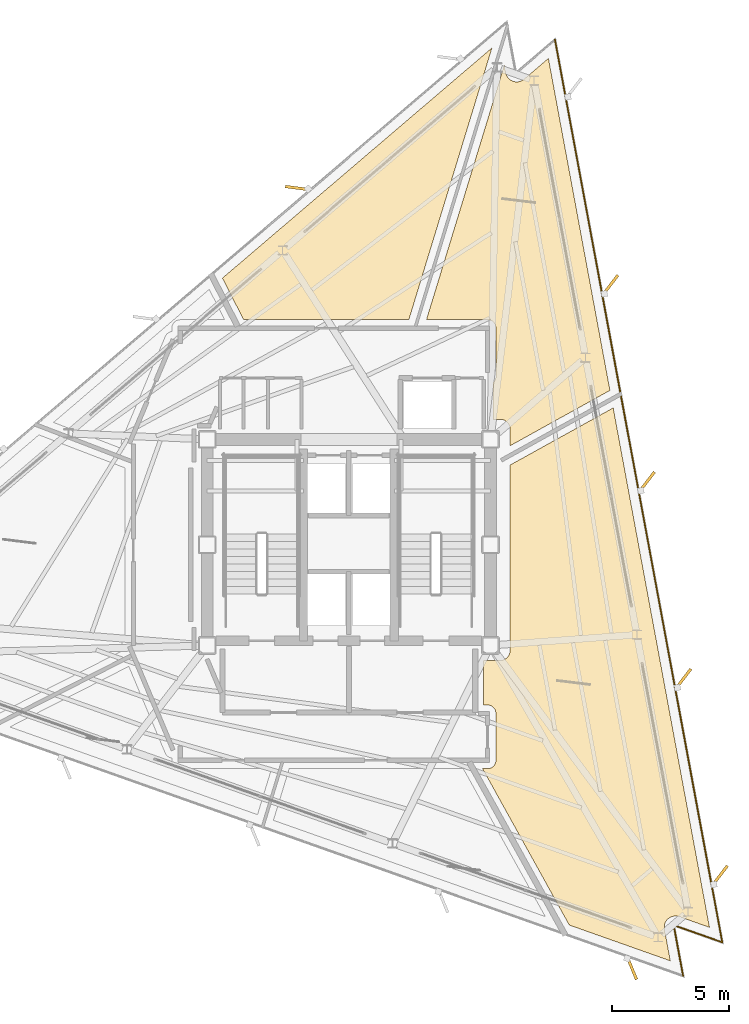
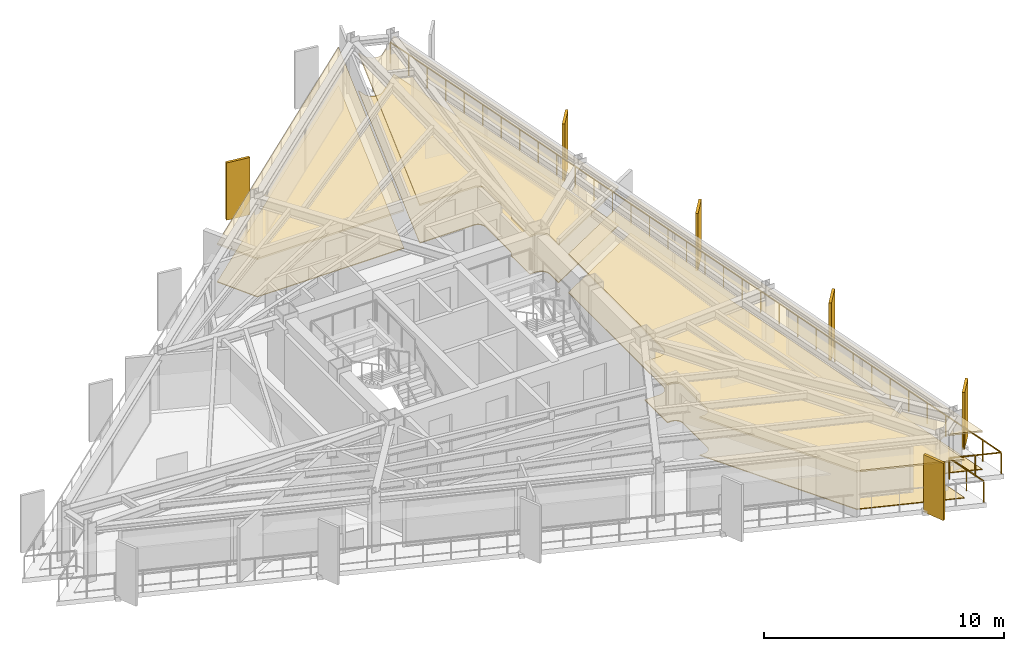
# One storey, part 13 of 14: 6 coverings, 6 shading devices, 1 railing.
"""IFC4 building model written with IfcOpenShell, lengths in metres."""

import ifcopenshell
import ifcopenshell.guid

model = None  # the IFC model being written
_history = None  # IfcOwnerHistory: only IFC2X3 demands one
_inside = {}  # id of a spatial element -> (the spatial element, [elements in it])
_under = {}  # id of a project, library or spatial element -> (it, [spatial elements below it])
_declared = {}  # id of a project -> (the project, [libraries it declares])
_typed = {}  # id of a type object -> (the type object, [elements of that type])
_made_of = {}  # id of a material, layer set ... -> (it, [elements and type objects made of it])


def new_model(schema):
    """Start an empty IFC model of exactly this schema.

    Asked for "IFC4X3", IfcOpenShell would pick the latest addendum, in which some entities
    have other attributes; the version numbers below select the first issue.
    IFC2X3 requires an IfcOwnerHistory on every rooted entity: one is made here for all.
    """
    global model, _history
    if schema == "IFC4X3":
        model = ifcopenshell.file(schema_version=(4, 3, 0, 0))
    else:
        model = ifcopenshell.file(schema=schema)
    _inside.clear()
    _under.clear()
    _declared.clear()
    _typed.clear()
    _made_of.clear()
    _history = None
    if model.schema == "IFC2X3":
        org = make("IfcOrganization", Name="unknown")
        user = make(
            "IfcPersonAndOrganization",
            ThePerson=make("IfcPerson", FamilyName="unknown"),
            TheOrganization=org,
        )
        app = make(
            "IfcApplication",
            ApplicationDeveloper=org,
            Version="unknown",
            ApplicationFullName="unknown",
            ApplicationIdentifier="unknown",
        )
        _history = make(
            "IfcOwnerHistory",
            OwningUser=user,
            OwningApplication=app,
            ChangeAction="ADDED",
            CreationDate=0,
        )
    return model


def make(cls, **values):
    """One entity of the class cls with the attributes given. An attribute that is None is left unset."""
    return model.create_entity(
        cls, **{name: value for name, value in values.items() if value is not None}
    )


def rooted(cls, **values):
    """An entity with a GlobalId (a new one), such as an element, a storey or a relation."""
    return make(cls, GlobalId=ifcopenshell.guid.new(), OwnerHistory=_history, **values)


def si_unit(unit_type, name, prefix=None):
    """IfcSIUnit, for example si_unit("LENGTHUNIT", "METRE", prefix="MILLI")."""
    return make("IfcSIUnit", UnitType=unit_type, Prefix=prefix, Name=name)


def assignment(units):
    """IfcUnitAssignment: the units of a project."""
    return None if units is None else make("IfcUnitAssignment", Units=units)


def point(xyz):
    """IfcCartesianPoint."""
    return None if xyz is None else make("IfcCartesianPoint", Coordinates=xyz)


def direction(xyz):
    """IfcDirection."""
    return None if xyz is None else make("IfcDirection", DirectionRatios=xyz)


def frame(location, z_axis=None, x_axis=None):
    """IfcAxis2Placement3D, a coordinate frame: its origin and axes. An axis left out is left unset."""
    return make(
        "IfcAxis2Placement3D",
        Location=point(location),
        Axis=direction(z_axis),
        RefDirection=direction(x_axis),
    )


def frame_2d(location, x_axis=None):
    """IfcAxis2Placement2D, a coordinate frame in the plane: its origin and x axis."""
    return make(
        "IfcAxis2Placement2D", Location=point(location), RefDirection=direction(x_axis)
    )


def origin():
    """The frame at (0, 0, 0) with its axes left unset."""
    return frame((0.0, 0.0, 0.0))


def origin_2d():
    """The frame at (0, 0) in the plane with its x axis left unset."""
    return frame_2d((0.0, 0.0))


def place(relative_to, where):
    """IfcLocalPlacement: puts the frame where relative to a parent placement (None: the world)."""
    return make(
        "IfcLocalPlacement", PlacementRelTo=relative_to, RelativePlacement=where
    )


def context(
    kind, dimensions, precision=None, world=None, true_north=None, identifier=None
):
    """IfcGeometricRepresentationContext, for example the 3D "Model" context."""
    return make(
        "IfcGeometricRepresentationContext",
        ContextIdentifier=identifier,
        ContextType=kind,
        CoordinateSpaceDimension=dimensions,
        Precision=precision,
        WorldCoordinateSystem=world,
        TrueNorth=true_north,
    )


def subcontext(parent, identifier, kind, view, scale=None):
    """IfcGeometricRepresentationSubContext, for example "Body" below "Model"."""
    return make(
        "IfcGeometricRepresentationSubContext",
        ContextIdentifier=identifier,
        ContextType=kind,
        ParentContext=parent,
        TargetScale=scale,
        TargetView=view,
    )


def project(units=None, contexts=None):
    """IfcProject with its units and contexts."""
    return rooted(
        "IfcProject",
        Name="project",
        RepresentationContexts=contexts,
        UnitsInContext=assignment(units),
    )


def spatial(cls, under=None, at=None, **own):
    """A site, building, storey or space (cls), placed at a placement, below another one or the project."""
    s = rooted(cls, ObjectPlacement=at, **own)
    if under is not None:
        _under.setdefault(under.id(), (under, []))[1].append(s)
    return s


def polyline(points):
    """IfcPolyline through the points."""
    return make("IfcPolyline", Points=[point(p) for p in points])


def profile(cls, at=None, kind="AREA", **sizes):
    """A parametric profile (cls). Its sizes go by their IFC names, for example OverallWidth=200.0."""
    return make(cls, ProfileType=kind, Position=at, **sizes)


def rectangle(**sizes):
    """IfcRectangleProfileDef."""
    return profile("IfcRectangleProfileDef", **sizes)


def outline(outer, holes=None, kind="AREA"):
    """IfcArbitraryClosedProfileDef: a profile drawn as a closed curve; with holes, ...WithVoids."""
    if holes is None:
        return make("IfcArbitraryClosedProfileDef", ProfileType=kind, OuterCurve=outer)
    return make(
        "IfcArbitraryProfileDefWithVoids",
        ProfileType=kind,
        OuterCurve=outer,
        InnerCurves=holes,
    )


def extrude(swept, where, along, depth):
    """IfcExtrudedAreaSolid: the profile swept, set in the frame where, extruded along a direction by depth."""
    return make(
        "IfcExtrudedAreaSolid",
        SweptArea=swept,
        Position=where,
        ExtrudedDirection=direction(along),
        Depth=depth,
    )


def shape(context_of_items, identifier, shape_type, items):
    """IfcShapeRepresentation: the items that make up one representation, for example the "Body"."""
    return make(
        "IfcShapeRepresentation",
        ContextOfItems=context_of_items,
        RepresentationIdentifier=identifier,
        RepresentationType=shape_type,
        Items=items,
    )


def material(Name=None, Category=None):
    """IfcMaterial."""
    return make("IfcMaterial", Name=Name, Category=Category)


def layer(
    of_material, thickness, ventilated=None, Name=None, Category=None, Priority=None
):
    """IfcMaterialLayer: one layer of a wall or slab, of a material (None: an air gap)."""
    return make(
        "IfcMaterialLayer",
        Material=of_material,
        LayerThickness=thickness,
        IsVentilated=ventilated,
        Name=Name,
        Category=Category,
        Priority=Priority,
    )


def layer_set(layers, Name=None):
    """IfcMaterialLayerSet."""
    return make("IfcMaterialLayerSet", MaterialLayers=layers, LayerSetName=Name)


def made_of(thing, what):
    """Note that an element or type object is made of a material, layer set ...; save() writes the relation."""
    if what is not None:
        _made_of.setdefault(what.id(), (what, []))[1].append(thing)
    return thing


def type_object(cls, material=None, **own):
    """A type object (cls), such as IfcWallType, which elements share."""
    return made_of(rooted(cls, **own), material)


def element(
    cls,
    number,
    at=None,
    inside=None,
    cuts=None,
    type_object=None,
    material=None,
    context=None,
    identifier="Body",
    shape_type=None,
    held_by="IfcProductDefinitionShape",
    body=None,
    shapes=None,
    **own,
):
    """One element of the class cls, such as IfcWall. Its Tag is "e" and its number.

    at: its placement. inside: the storey or other place that contains it. cuts: it is an
    opening in that element (IfcRelVoidsElement). A single representation is given by context,
    identifier, shape_type and body (its items); several are given by shapes. held_by: the class
    of the entity that holds the representations. save() writes the other relations.
    """
    e = rooted(cls, Tag="e%d" % number, ObjectPlacement=at, **own)
    if body is not None:
        shapes = [shape(context, identifier, shape_type, body)]
    if shapes is not None:
        e.Representation = make(held_by, Representations=shapes)
    if inside is not None:
        _inside.setdefault(inside.id(), (inside, []))[1].append(e)
    if cuts is not None:
        rooted(
            "IfcRelVoidsElement", RelatingBuildingElement=cuts, RelatedOpeningElement=e
        )
    if type_object is not None:
        _typed.setdefault(type_object.id(), (type_object, []))[1].append(e)
    return made_of(e, material)


def aggregate(whole, parts):
    """IfcRelAggregates: a whole, such as a stair, and the parts it consists of."""
    return rooted("IfcRelAggregates", RelatingObject=whole, RelatedObjects=parts)


def save(model, path):
    """Write the relations noted so far, then the file.

    IfcRelAggregates (storeys below a building ...), IfcRelContainedInSpatialStructure (elements
    in a storey), IfcRelDefinesByType, IfcRelAssociatesMaterial and IfcRelDeclares: one each for
    every whole, place, type object, material and project.
    """
    for whole, parts in _under.values():
        aggregate(whole, parts)
    for where, things in _inside.values():
        rooted(
            "IfcRelContainedInSpatialStructure",
            RelatedElements=things,
            RelatingStructure=where,
        )
    for kind, things in _typed.values():
        rooted("IfcRelDefinesByType", RelatedObjects=things, RelatingType=kind)
    for what, things in _made_of.values():
        rooted("IfcRelAssociatesMaterial", RelatedObjects=things, RelatingMaterial=what)
    for by, libraries in _declared.values():
        rooted("IfcRelDeclares", RelatingContext=by, RelatedDefinitions=libraries)
    model.write(path)


model = new_model("IFC4")

# Units and contexts
model_context = context("Model", 3, precision=1e-05, world=origin(), true_north=direction((0.0, 1.0)))
body_context = subcontext(model_context, "Body", "Model", "MODEL_VIEW")
ifc_project = project(units=[si_unit("LENGTHUNIT", "METRE"), si_unit("AREAUNIT", "SQUARE_METRE"), si_unit("VOLUMEUNIT", "CUBIC_METRE"), si_unit("PLANEANGLEUNIT", "RADIAN"), si_unit("MASSUNIT", "GRAM", prefix="KILO")], contexts=[model_context])

# Site, building, storey
site_placement = place(None, origin())
site = spatial("IfcSite", under=ifc_project, at=site_placement, CompositionType="ELEMENT")
building_placement = place(site_placement, origin())
building = spatial("IfcBuilding", under=site, at=building_placement, Name="Rocaltana Carrier Exchange", CompositionType="ELEMENT")
storey_placement = place(building_placement, frame((0.0, 0.0, 181.43994140625)))
storey = spatial("IfcBuildingStorey", under=building, at=storey_placement, Name="L57", CompositionType="ELEMENT", Elevation=181.43994140625)

# Coverings
ifc_material_1 = material(Name="Honed Bogota Sandstone Tile", Category="masonry")
ifc_layer_1 = layer(ifc_material_1, 0.0400390625)
ifc_layer_set_1 = layer_set([ifc_layer_1], Name="Honed Bogota Sandstone Tile")
covering_type_1 = type_object("IfcCoveringType", Name="Honed Stone Lobby Flooring 40", PredefinedType="FLOORING", material=ifc_layer_set_1)
covering_1_placement = place(storey_placement, origin())
element("IfcCovering", 1, at=covering_1_placement, inside=storey, type_object=covering_type_1, Name="L57 Cloud Architecture Office Finish Floor", PredefinedType="FLOORING", context=body_context, shape_type="SweptSolid", body=[
    extrude(outline(polyline([(5.739990234375, -6.840087890625), (5.739990234375, -4.93994140625), (6.449951171875, -4.93994140625), (6.463623046875, -4.939697265625), (6.4794921875, -4.93896484375), (6.5068359375, -4.936279296875), (6.522216796875, -4.933837890625), (6.54931640625, -4.928466796875), (6.564453125, -4.9248046875), (6.5908203125, -4.916748046875), (6.605712890625, -4.91162109375), (6.630859375, -4.90087890625), (6.64501953125, -4.894287109375), (6.66943359375, -4.88134765625), (6.682861328125, -4.873291015625), (6.705810546875, -4.85791015625), (6.71826171875, -4.8486328125), (6.739501953125, -4.8310546875), (6.751220703125, -4.820556640625), (6.7705078125, -4.80126953125), (6.781005859375, -4.78955078125), (6.798583984375, -4.768310546875), (6.807861328125, -4.755615234375), (6.8232421875, -4.73291015625), (6.831298828125, -4.719482421875), (6.84423828125, -4.695068359375), (6.850830078125, -4.680908203125), (6.861572265625, -4.655517578125), (6.86669921875, -4.640869140625), (6.874755859375, -4.614501953125), (6.87841796875, -4.59912109375), (6.8837890625, -4.572265625), (6.88623046875, -4.556884765625), (6.888916015625, -4.529296875), (6.8896484375, -4.513671875), (6.889892578125, -4.5), (6.889892578125, 3.40771484375), (11.287841796875, 5.84521484375), (15.398681640625, -16.3359375), (14.108642578125, -15.879150390625), (14.095458984375, -15.874755859375), (14.076416015625, -15.869140625), (14.04931640625, -15.8623046875), (14.02978515625, -15.858642578125), (14.001953125, -15.854736328125), (13.982177734375, -15.852783203125), (13.954345703125, -15.851806640625), (13.934326171875, -15.85205078125), (13.906494140625, -15.853515625), (13.88671875, -15.855712890625), (13.859130859375, -15.860107421875), (13.839599609375, -15.8642578125), (13.8125, -15.871337890625), (13.793701171875, -15.87744140625), (13.767333984375, -15.88720703125), (13.7490234375, -15.89501953125), (13.72412109375, -15.907470703125), (13.706787109375, -15.9169921875), (13.68310546875, -15.931884765625), (13.66650390625, -15.943359375), (13.64453125, -15.960205078125), (13.62939453125, -15.973388671875), (13.60888671875, -15.992431640625), (13.59521484375, -16.0068359375), (13.576904296875, -16.02783203125), (13.564697265625, -16.043701171875), (13.548583984375, -16.06640625), (13.537841796875, -16.083251953125), (13.524169921875, -16.107666015625), (13.51513671875, -16.12548828125), (13.50390625, -16.15087890625), (13.496826171875, -16.16943359375), (13.48828125, -16.196044921875), (13.48291015625, -16.21533203125), (13.47705078125, -16.24267578125), (13.4736328125, -16.26220703125), (13.470458984375, -16.2900390625), (13.468994140625, -16.309814453125), (13.46875, -16.337890625), (13.469482421875, -16.357666015625), (13.4716796875, -16.385498046875), (13.474365234375, -16.4052734375), (13.4765625, -16.419189453125), (13.725830078125, -17.7646484375), (9.412109375, -16.237060546875), (5.710693359375, -9.56005859375), (5.919921875, -9.56005859375), (5.93359375, -9.559814453125), (5.941650390625, -9.559326171875), (5.968994140625, -9.556640625), (5.976806640625, -9.555419921875), (6.003662109375, -9.550048828125), (6.01123046875, -9.548095703125), (6.03759765625, -9.540283203125), (6.044921875, -9.53759765625), (6.0703125, -9.527099609375), (6.077392578125, -9.523681640625), (6.101806640625, -9.5107421875), (6.1083984375, -9.506591796875), (6.131103515625, -9.491455078125), (6.137451171875, -9.48681640625), (6.15869140625, -9.46923828125), (6.16455078125, -9.464111328125), (6.18408203125, -9.444580078125), (6.189208984375, -9.438720703125), (6.206787109375, -9.41748046875), (6.21142578125, -9.4111328125), (6.226806640625, -9.388427734375), (6.230712890625, -9.381591796875), (6.24365234375, -9.357421875), (6.2470703125, -9.350341796875), (6.257568359375, -9.324951171875), (6.26025390625, -9.317626953125), (6.268310546875, -9.291259765625), (6.27001953125, -9.28369140625), (6.275390625, -9.256591796875), (6.276611328125, -9.248779296875), (6.279296875, -9.2216796875), (6.27978515625, -9.213623046875), (6.280029296875, -9.199951171875), (6.280029296875, -7.199951171875), (6.27978515625, -7.186279296875), (6.279296875, -7.178466796875), (6.276611328125, -7.151123046875), (6.275390625, -7.143310546875), (6.27001953125, -7.116455078125), (6.268310546875, -7.108642578125), (6.26025390625, -7.08251953125), (6.257568359375, -7.0751953125), (6.2470703125, -7.0498046875), (6.24365234375, -7.04248046875), (6.230712890625, -7.018310546875), (6.226806640625, -7.01171875), (6.21142578125, -6.98876953125), (6.206787109375, -6.982421875), (6.189208984375, -6.961181640625), (6.18408203125, -6.955322265625), (6.16455078125, -6.93603515625), (6.15869140625, -6.9306640625), (6.137451171875, -6.913330078125), (6.131103515625, -6.90869140625), (6.1083984375, -6.893310546875), (6.101806640625, -6.889404296875), (6.077392578125, -6.876220703125), (6.0703125, -6.873046875), (6.044921875, -6.862548828125), (6.03759765625, -6.85986328125), (6.01123046875, -6.851806640625), (6.003662109375, -6.849853515625), (5.976806640625, -6.844482421875), (5.968994140625, -6.843505859375), (5.941650390625, -6.8408203125), (5.93359375, -6.84033203125), (5.919921875, -6.840087890625), (5.739990234375, -6.840087890625)])), origin(), (0.0, 0.0, 1.0), 0.0400390625),
])
covering_2_placement = place(storey_placement, origin())
element("IfcCovering", 2, at=covering_2_placement, inside=storey, type_object=covering_type_1, Name="L57 Peering Conference Room Finish Floor", PredefinedType="FLOORING", context=body_context, shape_type="SweptSolid", body=[
    extrude(outline(polyline([(6.159912109375, 6.931884765625), (6.16455078125, 6.93603515625), (6.18408203125, 6.955322265625), (6.189208984375, 6.961181640625), (6.206787109375, 6.982421875), (6.21142578125, 6.98876953125), (6.226806640625, 7.01171875), (6.230712890625, 7.018310546875), (6.24365234375, 7.04248046875), (6.2470703125, 7.0498046875), (6.257568359375, 7.0751953125), (6.26025390625, 7.08251953125), (6.268310546875, 7.108642578125), (6.27001953125, 7.116455078125), (6.275390625, 7.143310546875), (6.276611328125, 7.151123046875), (6.279296875, 7.178466796875), (6.27978515625, 7.186279296875), (6.280029296875, 7.199951171875), (6.280029296875, 9.25), (6.27978515625, 9.263671875), (6.279296875, 9.271484375), (6.276611328125, 9.298828125), (6.275390625, 9.306640625), (6.27001953125, 9.33349609375), (6.268310546875, 9.34130859375), (6.26025390625, 9.36767578125), (6.257568359375, 9.375), (6.2470703125, 9.400390625), (6.24365234375, 9.407470703125), (6.230712890625, 9.431640625), (6.226806640625, 9.4384765625), (6.21142578125, 9.461181640625), (6.206787109375, 9.467529296875), (6.189208984375, 9.48876953125), (6.18408203125, 9.49462890625), (6.16455078125, 9.513916015625), (6.15869140625, 9.519287109375), (6.137451171875, 9.53662109375), (6.131103515625, 9.54150390625), (6.1083984375, 9.556640625), (6.101806640625, 9.560791015625), (6.077392578125, 9.57373046875), (6.0703125, 9.576904296875), (6.044921875, 9.58740234375), (6.03759765625, 9.590087890625), (6.01123046875, 9.59814453125), (6.003662109375, 9.60009765625), (5.976806640625, 9.60546875), (5.968994140625, 9.606689453125), (5.941650390625, 9.609375), (5.93359375, 9.609619140625), (5.919921875, 9.610107421875), (3.314453125, 9.610107421875), (6.6376953125, 20.479736328125), (6.697265625, 20.157958984375), (6.7001953125, 20.144287109375), (6.704833984375, 20.125), (6.712646484375, 20.09814453125), (6.718994140625, 20.079345703125), (6.7294921875, 20.053466796875), (6.73779296875, 20.035400390625), (6.7509765625, 20.010498046875), (6.760986328125, 19.993408203125), (6.7763671875, 19.97021484375), (6.7880859375, 19.9541015625), (6.8056640625, 19.932373046875), (6.819091796875, 19.91748046875), (6.838623046875, 19.897705078125), (6.853515625, 19.88427734375), (6.875, 19.866455078125), (6.89111328125, 19.8544921875), (6.914306640625, 19.839111328125), (6.931396484375, 19.828857421875), (6.955810546875, 19.815673828125), (6.973876953125, 19.80712890625), (6.999755859375, 19.796630859375), (7.0185546875, 19.789794921875), (7.04541015625, 19.781982421875), (7.064697265625, 19.777099609375), (7.092041015625, 19.77197265625), (7.11181640625, 19.76904296875), (7.1396484375, 19.7666015625), (7.159423828125, 19.765625), (7.1875, 19.76611328125), (7.207275390625, 19.76708984375), (7.235107421875, 19.770263671875), (7.2548828125, 19.773193359375), (7.281982421875, 19.779052734375), (7.301513671875, 19.7841796875), (7.327880859375, 19.79248046875), (7.3466796875, 19.799560546875), (7.372314453125, 19.810791015625), (7.39013671875, 19.819580078125), (7.41455078125, 19.8330078125), (7.431396484375, 19.843505859375), (7.454345703125, 19.859619140625), (7.47021484375, 19.87158203125), (7.48095703125, 19.880615234375), (8.521728515625, 20.769287109375), (11.1494140625, 6.591796875), (6.889892578125, 4.230712890625), (6.889892578125, 4.919921875), (6.8896484375, 4.93359375), (6.888916015625, 4.949462890625), (6.88623046875, 4.976806640625), (6.8837890625, 4.9921875), (6.87841796875, 5.019287109375), (6.874755859375, 5.034423828125), (6.86669921875, 5.060791015625), (6.861572265625, 5.07568359375), (6.850830078125, 5.100830078125), (6.84423828125, 5.114990234375), (6.831298828125, 5.139404296875), (6.8232421875, 5.15283203125), (6.807861328125, 5.17578125), (6.798583984375, 5.188232421875), (6.781005859375, 5.20947265625), (6.7705078125, 5.22119140625), (6.751220703125, 5.240478515625), (6.739501953125, 5.251220703125), (6.71826171875, 5.2685546875), (6.705810546875, 5.27783203125), (6.682861328125, 5.293212890625), (6.66943359375, 5.30126953125), (6.64501953125, 5.314208984375), (6.630859375, 5.32080078125), (6.605712890625, 5.33154296875), (6.5908203125, 5.336669921875), (6.564453125, 5.3447265625), (6.54931640625, 5.348388671875), (6.522216796875, 5.35400390625), (6.5068359375, 5.356201171875), (6.4794921875, 5.35888671875), (6.463623046875, 5.359619140625), (6.449951171875, 5.360107421875), (6.159912109375, 5.360107421875), (6.159912109375, 6.931884765625)])), origin(), (0.0, 0.0, 1.0), 0.0400390625),
])
covering_3_placement = place(storey_placement, origin())
element("IfcCovering", 3, at=covering_3_placement, inside=storey, type_object=covering_type_1, Name="L57 Optical Switching Laboratory Finish Floor", PredefinedType="FLOORING", context=body_context, shape_type="SweptSolid", body=[
    extrude(outline(polyline([(6.109619140625, 21.214599609375), (2.5615234375, 9.610107421875), (-4.492431640625, 9.610107421875), (-5.397705078125, 11.38671875), (6.109619140625, 21.214599609375)])), origin(), (0.0, 0.0, 1.0), 0.0400390625),
])
ifc_material_2 = material(Name="Anodised Aluminium 6063-T6", Category="aluminium")
ifc_layer_2 = layer(ifc_material_2, 0.0849609375)
ifc_layer_set_2 = layer_set([ifc_layer_2], Name="Anodised Aluminium 6063-T6")
covering_type_2 = type_object("IfcCoveringType", Name="Linear Baffle Acoustic Ceiling 85", PredefinedType="CEILING", material=ifc_layer_set_2)
covering_4_placement = place(storey_placement, frame((0.0, 0.0, 1.903076171875)))
element("IfcCovering", 4, at=covering_4_placement, inside=storey, type_object=covering_type_2, Name="L57 Cloud Architecture Office Acoustic Ceiling", PredefinedType="CEILING", context=body_context, shape_type="SweptSolid", body=[
    extrude(outline(polyline([(5.739990234375, -6.840087890625), (5.739990234375, -4.93994140625), (6.449951171875, -4.93994140625), (6.463623046875, -4.939697265625), (6.4794921875, -4.93896484375), (6.5068359375, -4.936279296875), (6.522216796875, -4.933837890625), (6.54931640625, -4.928466796875), (6.564453125, -4.9248046875), (6.5908203125, -4.916748046875), (6.605712890625, -4.91162109375), (6.630859375, -4.90087890625), (6.64501953125, -4.894287109375), (6.66943359375, -4.88134765625), (6.682861328125, -4.873291015625), (6.705810546875, -4.85791015625), (6.71826171875, -4.8486328125), (6.739501953125, -4.8310546875), (6.751220703125, -4.820556640625), (6.7705078125, -4.80126953125), (6.781005859375, -4.78955078125), (6.798583984375, -4.768310546875), (6.807861328125, -4.755615234375), (6.8232421875, -4.73291015625), (6.831298828125, -4.719482421875), (6.84423828125, -4.695068359375), (6.850830078125, -4.680908203125), (6.861572265625, -4.655517578125), (6.86669921875, -4.640869140625), (6.874755859375, -4.614501953125), (6.87841796875, -4.59912109375), (6.8837890625, -4.572265625), (6.88623046875, -4.556884765625), (6.888916015625, -4.529296875), (6.8896484375, -4.513671875), (6.889892578125, -4.5), (6.889892578125, 3.40771484375), (11.287841796875, 5.84521484375), (15.398681640625, -16.3359375), (14.108642578125, -15.879150390625), (14.095458984375, -15.874755859375), (14.076416015625, -15.869140625), (14.04931640625, -15.8623046875), (14.02978515625, -15.858642578125), (14.001953125, -15.854736328125), (13.982177734375, -15.852783203125), (13.954345703125, -15.851806640625), (13.934326171875, -15.85205078125), (13.906494140625, -15.853515625), (13.88671875, -15.855712890625), (13.859130859375, -15.860107421875), (13.839599609375, -15.8642578125), (13.8125, -15.871337890625), (13.793701171875, -15.87744140625), (13.767333984375, -15.88720703125), (13.7490234375, -15.89501953125), (13.72412109375, -15.907470703125), (13.706787109375, -15.9169921875), (13.68310546875, -15.931884765625), (13.66650390625, -15.943359375), (13.64453125, -15.960205078125), (13.62939453125, -15.973388671875), (13.60888671875, -15.992431640625), (13.59521484375, -16.0068359375), (13.576904296875, -16.02783203125), (13.564697265625, -16.043701171875), (13.548583984375, -16.06640625), (13.537841796875, -16.083251953125), (13.524169921875, -16.107666015625), (13.51513671875, -16.12548828125), (13.50390625, -16.15087890625), (13.496826171875, -16.16943359375), (13.48828125, -16.196044921875), (13.48291015625, -16.21533203125), (13.47705078125, -16.24267578125), (13.4736328125, -16.26220703125), (13.470458984375, -16.2900390625), (13.468994140625, -16.309814453125), (13.46875, -16.337890625), (13.469482421875, -16.357666015625), (13.4716796875, -16.385498046875), (13.474365234375, -16.4052734375), (13.4765625, -16.419189453125), (13.725830078125, -17.7646484375), (9.412109375, -16.237060546875), (5.710693359375, -9.56005859375), (5.919921875, -9.56005859375), (5.93359375, -9.559814453125), (5.941650390625, -9.559326171875), (5.968994140625, -9.556640625), (5.976806640625, -9.555419921875), (6.003662109375, -9.550048828125), (6.01123046875, -9.548095703125), (6.03759765625, -9.540283203125), (6.044921875, -9.53759765625), (6.0703125, -9.527099609375), (6.077392578125, -9.523681640625), (6.101806640625, -9.5107421875), (6.1083984375, -9.506591796875), (6.131103515625, -9.491455078125), (6.137451171875, -9.48681640625), (6.15869140625, -9.46923828125), (6.16455078125, -9.464111328125), (6.18408203125, -9.444580078125), (6.189208984375, -9.438720703125), (6.206787109375, -9.41748046875), (6.21142578125, -9.4111328125), (6.226806640625, -9.388427734375), (6.230712890625, -9.381591796875), (6.24365234375, -9.357421875), (6.2470703125, -9.350341796875), (6.257568359375, -9.324951171875), (6.26025390625, -9.317626953125), (6.268310546875, -9.291259765625), (6.27001953125, -9.28369140625), (6.275390625, -9.256591796875), (6.276611328125, -9.248779296875), (6.279296875, -9.2216796875), (6.27978515625, -9.213623046875), (6.280029296875, -9.199951171875), (6.280029296875, -7.199951171875), (6.27978515625, -7.186279296875), (6.279296875, -7.178466796875), (6.276611328125, -7.151123046875), (6.275390625, -7.143310546875), (6.27001953125, -7.116455078125), (6.268310546875, -7.108642578125), (6.26025390625, -7.08251953125), (6.257568359375, -7.0751953125), (6.2470703125, -7.0498046875), (6.24365234375, -7.04248046875), (6.230712890625, -7.018310546875), (6.226806640625, -7.01171875), (6.21142578125, -6.98876953125), (6.206787109375, -6.982421875), (6.189208984375, -6.961181640625), (6.18408203125, -6.955322265625), (6.16455078125, -6.93603515625), (6.15869140625, -6.9306640625), (6.137451171875, -6.913330078125), (6.131103515625, -6.90869140625), (6.1083984375, -6.893310546875), (6.101806640625, -6.889404296875), (6.077392578125, -6.876220703125), (6.0703125, -6.873046875), (6.044921875, -6.862548828125), (6.03759765625, -6.85986328125), (6.01123046875, -6.851806640625), (6.003662109375, -6.849853515625), (5.976806640625, -6.844482421875), (5.968994140625, -6.843505859375), (5.941650390625, -6.8408203125), (5.93359375, -6.84033203125), (5.919921875, -6.840087890625), (5.739990234375, -6.840087890625)])), origin(), (0.0, 0.0, 1.0), 0.0849609375),
])
covering_5_placement = place(storey_placement, frame((0.0, 0.0, 1.903076171875)))
element("IfcCovering", 5, at=covering_5_placement, inside=storey, type_object=covering_type_2, Name="L57 Peering Conference Room Acoustic Ceiling", PredefinedType="CEILING", context=body_context, shape_type="SweptSolid", body=[
    extrude(outline(polyline([(6.159912109375, 6.931884765625), (6.16455078125, 6.93603515625), (6.18408203125, 6.955322265625), (6.189208984375, 6.961181640625), (6.206787109375, 6.982421875), (6.21142578125, 6.98876953125), (6.226806640625, 7.01171875), (6.230712890625, 7.018310546875), (6.24365234375, 7.04248046875), (6.2470703125, 7.0498046875), (6.257568359375, 7.0751953125), (6.26025390625, 7.08251953125), (6.268310546875, 7.108642578125), (6.27001953125, 7.116455078125), (6.275390625, 7.143310546875), (6.276611328125, 7.151123046875), (6.279296875, 7.178466796875), (6.27978515625, 7.186279296875), (6.280029296875, 7.199951171875), (6.280029296875, 9.25), (6.27978515625, 9.263671875), (6.279296875, 9.271484375), (6.276611328125, 9.298828125), (6.275390625, 9.306640625), (6.27001953125, 9.33349609375), (6.268310546875, 9.34130859375), (6.26025390625, 9.36767578125), (6.257568359375, 9.375), (6.2470703125, 9.400390625), (6.24365234375, 9.407470703125), (6.230712890625, 9.431640625), (6.226806640625, 9.4384765625), (6.21142578125, 9.461181640625), (6.206787109375, 9.467529296875), (6.189208984375, 9.48876953125), (6.18408203125, 9.49462890625), (6.16455078125, 9.513916015625), (6.15869140625, 9.519287109375), (6.137451171875, 9.53662109375), (6.131103515625, 9.54150390625), (6.1083984375, 9.556640625), (6.101806640625, 9.560791015625), (6.077392578125, 9.57373046875), (6.0703125, 9.576904296875), (6.044921875, 9.58740234375), (6.03759765625, 9.590087890625), (6.01123046875, 9.59814453125), (6.003662109375, 9.60009765625), (5.976806640625, 9.60546875), (5.968994140625, 9.606689453125), (5.941650390625, 9.609375), (5.93359375, 9.609619140625), (5.919921875, 9.610107421875), (3.314453125, 9.610107421875), (6.6376953125, 20.479736328125), (6.697265625, 20.157958984375), (6.7001953125, 20.144287109375), (6.704833984375, 20.125), (6.712646484375, 20.09814453125), (6.718994140625, 20.079345703125), (6.7294921875, 20.053466796875), (6.73779296875, 20.035400390625), (6.7509765625, 20.010498046875), (6.760986328125, 19.993408203125), (6.7763671875, 19.97021484375), (6.7880859375, 19.9541015625), (6.8056640625, 19.932373046875), (6.819091796875, 19.91748046875), (6.838623046875, 19.897705078125), (6.853515625, 19.88427734375), (6.875, 19.866455078125), (6.89111328125, 19.8544921875), (6.914306640625, 19.839111328125), (6.931396484375, 19.828857421875), (6.955810546875, 19.815673828125), (6.973876953125, 19.80712890625), (6.999755859375, 19.796630859375), (7.0185546875, 19.789794921875), (7.04541015625, 19.781982421875), (7.064697265625, 19.777099609375), (7.092041015625, 19.77197265625), (7.11181640625, 19.76904296875), (7.1396484375, 19.7666015625), (7.159423828125, 19.765625), (7.1875, 19.76611328125), (7.207275390625, 19.76708984375), (7.235107421875, 19.770263671875), (7.2548828125, 19.773193359375), (7.281982421875, 19.779052734375), (7.301513671875, 19.7841796875), (7.327880859375, 19.79248046875), (7.3466796875, 19.799560546875), (7.372314453125, 19.810791015625), (7.39013671875, 19.819580078125), (7.41455078125, 19.8330078125), (7.431396484375, 19.843505859375), (7.454345703125, 19.859619140625), (7.47021484375, 19.87158203125), (7.48095703125, 19.880615234375), (8.521728515625, 20.769287109375), (11.1494140625, 6.591796875), (6.889892578125, 4.230712890625), (6.889892578125, 4.919921875), (6.8896484375, 4.93359375), (6.888916015625, 4.949462890625), (6.88623046875, 4.976806640625), (6.8837890625, 4.9921875), (6.87841796875, 5.019287109375), (6.874755859375, 5.034423828125), (6.86669921875, 5.060791015625), (6.861572265625, 5.07568359375), (6.850830078125, 5.100830078125), (6.84423828125, 5.114990234375), (6.831298828125, 5.139404296875), (6.8232421875, 5.15283203125), (6.807861328125, 5.17578125), (6.798583984375, 5.188232421875), (6.781005859375, 5.20947265625), (6.7705078125, 5.22119140625), (6.751220703125, 5.240478515625), (6.739501953125, 5.251220703125), (6.71826171875, 5.2685546875), (6.705810546875, 5.27783203125), (6.682861328125, 5.293212890625), (6.66943359375, 5.30126953125), (6.64501953125, 5.314208984375), (6.630859375, 5.32080078125), (6.605712890625, 5.33154296875), (6.5908203125, 5.336669921875), (6.564453125, 5.3447265625), (6.54931640625, 5.348388671875), (6.522216796875, 5.35400390625), (6.5068359375, 5.356201171875), (6.4794921875, 5.35888671875), (6.463623046875, 5.359619140625), (6.449951171875, 5.360107421875), (6.159912109375, 5.360107421875), (6.159912109375, 6.931884765625)])), origin(), (0.0, 0.0, 1.0), 0.0849609375),
])
covering_6_placement = place(storey_placement, frame((0.0, 0.0, 1.903076171875)))
element("IfcCovering", 6, at=covering_6_placement, inside=storey, type_object=covering_type_2, Name="L57 Optical Switching Laboratory Acoustic Ceiling", PredefinedType="CEILING", context=body_context, shape_type="SweptSolid", body=[
    extrude(outline(polyline([(6.109619140625, 21.214599609375), (2.5615234375, 9.610107421875), (-4.492431640625, 9.610107421875), (-5.397705078125, 11.38671875), (6.109619140625, 21.214599609375)])), origin(), (0.0, 0.0, 1.0), 0.0849609375),
])

# Shading devices
ifc_material_3 = material(Name="Honed Bogota Sandstone & Concrete C45/55", Category="masonry")
ifc_layer_3 = layer(ifc_material_3, 0.1201171875)
ifc_layer_set_3 = layer_set([ifc_layer_3], Name="Honed Bogota Sandstone & Concrete C45/55")
shading_device_type = type_object("IfcShadingDeviceType", Name="Upper Sandstone Shading Fin 1050x120", PredefinedType="USERDEFINED", material=ifc_layer_set_3)
for number, where, z_axis, x_axis, name in (
    (7, (15.84375, -14.124755859375, -0.119873046875), (0.0, 0.0, 1.0), (0.608761429009, 0.793353340291, 0.0), "L57 Sandstone Vertical Fin F1-01"),
    (8, (14.28564453125, -5.718017578125, -0.119873046875), (0.0, 0.0, 1.0), (0.608761429009, 0.793353340291, 0.0), "L57 Sandstone Vertical Fin F1-02"),
    (9, (12.7275390625, 2.68896484375, -0.119873046875), (0.0, 0.0, 1.0), (0.608761429009, 0.793353340291, 0.0), "L57 Sandstone Vertical Fin F1-03"),
    (10, (11.16943359375, 11.095703125, -0.119873046875), (0.0, 0.0, 1.0), (0.608761429009, 0.793353340291, 0.0), "L57 Sandstone Vertical Fin F1-04"),
    (11, (-2.19091796875, 15.230712890625, -0.119873046875), (0.0, 0.0, 1.0), (-0.991444861374, 0.13052619222, 0.0), "L57 Sandstone Vertical Fin F2-02"),
    (12, (12.083984375, -18.074951171875, -0.119873046875), (0.0, 0.0, 1.0), (0.382683432365, -0.923879532511, 0.0), "L57 Sandstone Vertical Fin F3-05"),
):
    element("IfcShadingDevice", number, at=place(storey_placement, frame(where, z_axis=z_axis, x_axis=x_axis)), inside=storey, type_object=shading_device_type, Name=name, ObjectType="FIN", PredefinedType="USERDEFINED", context=body_context, shape_type="SweptSolid", body=[
        extrude(rectangle(XDim=1.050048828125, YDim=0.1201171875, at=origin_2d()), origin(), (0.0, 0.0, 1.0), 2.91796875),
    ])

# Railing
ifc_material_4 = material(Name="Powder-Coated Aluminium 6063-T6", Category="aluminium")
ifc_layer_4 = layer(ifc_material_4, 0.06005859375)
ifc_layer_set_4 = layer_set([ifc_layer_4], Name="Powder-Coated Aluminium 6063-T6")
railing_type = type_object("IfcRailingType", Name="Wind-Floor & Terrace Perimeter Guardrail 1100", PredefinedType="GUARDRAIL", material=ifc_layer_set_4)
railing_placement = place(storey_placement, frame((8.802001953125, 21.561279296875, 0.0)))
element("IfcRailing", 13, at=railing_placement, inside=storey, type_object=railing_type, Name="L57 Perimeter Balcony Guardrail 3", PredefinedType="GUARDRAIL", context=body_context, shape_type="SweptSolid", body=[
    extrude(rectangle(XDim=0.048095703125, YDim=0.048095703125, at=origin_2d()), frame((0.0, 0.0, 1.076171875), z_axis=(0.182238712152, -0.983254316946, 0.0), x_axis=(0.983254316946, 0.182238712152, 0.0)), (0.0, 0.0, 1.0), 39.192138671875),
    extrude(rectangle(XDim=0.048095703125, YDim=0.048095703125, at=origin_2d()), frame((7.142333984375, -38.535888671875, 1.076171875), z_axis=(-0.942672327986, 0.333719765747, 0.0), x_axis=(-0.333719765747, -0.942672327986, 0.0)), (0.0, 0.0, 1.0), 2.199951171875),
    extrude(rectangle(XDim=0.048095703125, YDim=0.048095703125, at=origin_2d()), frame((5.068603515625, -37.8017578125, 1.076171875), z_axis=(0.1822243738, -0.983256974342, 0.0), x_axis=(0.983256974342, 0.1822243738, 0.0)), (0.0, 0.0, 1.0), 2.199951171875),
    extrude(rectangle(XDim=0.0419921875, YDim=0.0419921875, at=origin_2d()), origin(), (0.0, 0.0, 1.0), 1.052001953125),
    extrude(rectangle(XDim=0.0419921875, YDim=0.0419921875, at=origin_2d()), frame((0.216552734375, -1.167724609375, 0.0)), (0.0, 0.0, 1.0), 1.052001953125),
    extrude(rectangle(XDim=0.0419921875, YDim=0.0419921875, at=origin_2d()), frame((0.432861328125, -2.33544921875, 0.0)), (0.0, 0.0, 1.0), 1.052001953125),
    extrude(rectangle(XDim=0.0419921875, YDim=0.0419921875, at=origin_2d()), frame((0.6494140625, -3.503173828125, 0.0)), (0.0, 0.0, 1.0), 1.052001953125),
    extrude(rectangle(XDim=0.0419921875, YDim=0.0419921875, at=origin_2d()), frame((0.86572265625, -4.6708984375, 0.0)), (0.0, 0.0, 1.0), 1.052001953125),
    extrude(rectangle(XDim=0.0419921875, YDim=0.0419921875, at=origin_2d()), frame((1.082275390625, -5.8388671875, 0.0)), (0.0, 0.0, 1.0), 1.052001953125),
    extrude(rectangle(XDim=0.0419921875, YDim=0.0419921875, at=origin_2d()), frame((1.298583984375, -7.006591796875, 0.0)), (0.0, 0.0, 1.0), 1.052001953125),
    extrude(rectangle(XDim=0.0419921875, YDim=0.0419921875, at=origin_2d()), frame((1.51513671875, -8.17431640625, 0.0)), (0.0, 0.0, 1.0), 1.052001953125),
    extrude(rectangle(XDim=0.0419921875, YDim=0.0419921875, at=origin_2d()), frame((1.7314453125, -9.342041015625, 0.0)), (0.0, 0.0, 1.0), 1.052001953125),
    extrude(rectangle(XDim=0.0419921875, YDim=0.0419921875, at=origin_2d()), frame((1.947998046875, -10.509765625, 0.0)), (0.0, 0.0, 1.0), 1.052001953125),
    extrude(rectangle(XDim=0.0419921875, YDim=0.0419921875, at=origin_2d()), frame((2.164306640625, -11.677490234375, 0.0)), (0.0, 0.0, 1.0), 1.052001953125),
    extrude(rectangle(XDim=0.0419921875, YDim=0.0419921875, at=origin_2d()), frame((2.380859375, -12.84521484375, 0.0)), (0.0, 0.0, 1.0), 1.052001953125),
    extrude(rectangle(XDim=0.0419921875, YDim=0.0419921875, at=origin_2d()), frame((2.59716796875, -14.012939453125, 0.0)), (0.0, 0.0, 1.0), 1.052001953125),
    extrude(rectangle(XDim=0.0419921875, YDim=0.0419921875, at=origin_2d()), frame((2.813720703125, -15.180908203125, 0.0)), (0.0, 0.0, 1.0), 1.052001953125),
    extrude(rectangle(XDim=0.0419921875, YDim=0.0419921875, at=origin_2d()), frame((3.030029296875, -16.3486328125, 0.0)), (0.0, 0.0, 1.0), 1.052001953125),
    extrude(rectangle(XDim=0.0419921875, YDim=0.0419921875, at=origin_2d()), frame((3.24658203125, -17.516357421875, 0.0)), (0.0, 0.0, 1.0), 1.052001953125),
    extrude(rectangle(XDim=0.0419921875, YDim=0.0419921875, at=origin_2d()), frame((3.462890625, -18.68408203125, 0.0)), (0.0, 0.0, 1.0), 1.052001953125),
    extrude(rectangle(XDim=0.0419921875, YDim=0.0419921875, at=origin_2d()), frame((3.679443359375, -19.851806640625, 0.0)), (0.0, 0.0, 1.0), 1.052001953125),
    extrude(rectangle(XDim=0.0419921875, YDim=0.0419921875, at=origin_2d()), frame((3.895751953125, -21.01953125, 0.0)), (0.0, 0.0, 1.0), 1.052001953125),
    extrude(rectangle(XDim=0.0419921875, YDim=0.0419921875, at=origin_2d()), frame((4.1123046875, -22.187255859375, 0.0)), (0.0, 0.0, 1.0), 1.052001953125),
    extrude(rectangle(XDim=0.0419921875, YDim=0.0419921875, at=origin_2d()), frame((4.32861328125, -23.35498046875, 0.0)), (0.0, 0.0, 1.0), 1.052001953125),
    extrude(rectangle(XDim=0.0419921875, YDim=0.0419921875, at=origin_2d()), frame((4.545166015625, -24.52294921875, 0.0)), (0.0, 0.0, 1.0), 1.052001953125),
    extrude(rectangle(XDim=0.0419921875, YDim=0.0419921875, at=origin_2d()), frame((4.761474609375, -25.690673828125, 0.0)), (0.0, 0.0, 1.0), 1.052001953125),
    extrude(rectangle(XDim=0.0419921875, YDim=0.0419921875, at=origin_2d()), frame((4.97802734375, -26.8583984375, 0.0)), (0.0, 0.0, 1.0), 1.052001953125),
    extrude(rectangle(XDim=0.0419921875, YDim=0.0419921875, at=origin_2d()), frame((5.1943359375, -28.026123046875, 0.0)), (0.0, 0.0, 1.0), 1.052001953125),
    extrude(rectangle(XDim=0.0419921875, YDim=0.0419921875, at=origin_2d()), frame((5.410888671875, -29.19384765625, 0.0)), (0.0, 0.0, 1.0), 1.052001953125),
    extrude(rectangle(XDim=0.0419921875, YDim=0.0419921875, at=origin_2d()), frame((5.627197265625, -30.361572265625, 0.0)), (0.0, 0.0, 1.0), 1.052001953125),
    extrude(rectangle(XDim=0.0419921875, YDim=0.0419921875, at=origin_2d()), frame((5.84375, -31.529296875, 0.0)), (0.0, 0.0, 1.0), 1.052001953125),
    extrude(rectangle(XDim=0.0419921875, YDim=0.0419921875, at=origin_2d()), frame((6.06005859375, -32.697021484375, 0.0)), (0.0, 0.0, 1.0), 1.052001953125),
    extrude(rectangle(XDim=0.0419921875, YDim=0.0419921875, at=origin_2d()), frame((6.276611328125, -33.864990234375, 0.0)), (0.0, 0.0, 1.0), 1.052001953125),
    extrude(rectangle(XDim=0.0419921875, YDim=0.0419921875, at=origin_2d()), frame((6.492919921875, -35.03271484375, 0.0)), (0.0, 0.0, 1.0), 1.052001953125),
    extrude(rectangle(XDim=0.0419921875, YDim=0.0419921875, at=origin_2d()), frame((6.70947265625, -36.200439453125, 0.0)), (0.0, 0.0, 1.0), 1.052001953125),
    extrude(rectangle(XDim=0.0419921875, YDim=0.0419921875, at=origin_2d()), frame((6.92578125, -37.3681640625, 0.0)), (0.0, 0.0, 1.0), 1.052001953125),
    extrude(rectangle(XDim=0.0419921875, YDim=0.0419921875, at=origin_2d()), frame((7.142333984375, -38.535888671875, 0.0)), (0.0, 0.0, 1.0), 1.052001953125),
    extrude(rectangle(XDim=0.0419921875, YDim=0.0419921875, at=origin_2d()), frame((6.10546875, -38.1689453125, 0.0)), (0.0, 0.0, 1.0), 1.052001953125),
    extrude(rectangle(XDim=0.0419921875, YDim=0.0419921875, at=origin_2d()), frame((5.068603515625, -37.8017578125, 0.0)), (0.0, 0.0, 1.0), 1.052001953125),
    extrude(rectangle(XDim=0.0419921875, YDim=0.0419921875, at=origin_2d()), frame((5.26904296875, -38.88330078125, 0.0)), (0.0, 0.0, 1.0), 1.052001953125),
    extrude(rectangle(XDim=0.0419921875, YDim=0.0419921875, at=origin_2d()), frame((5.469482421875, -39.96484375, 0.0)), (0.0, 0.0, 1.0), 1.052001953125),
])

save(model, "model.ifc")
